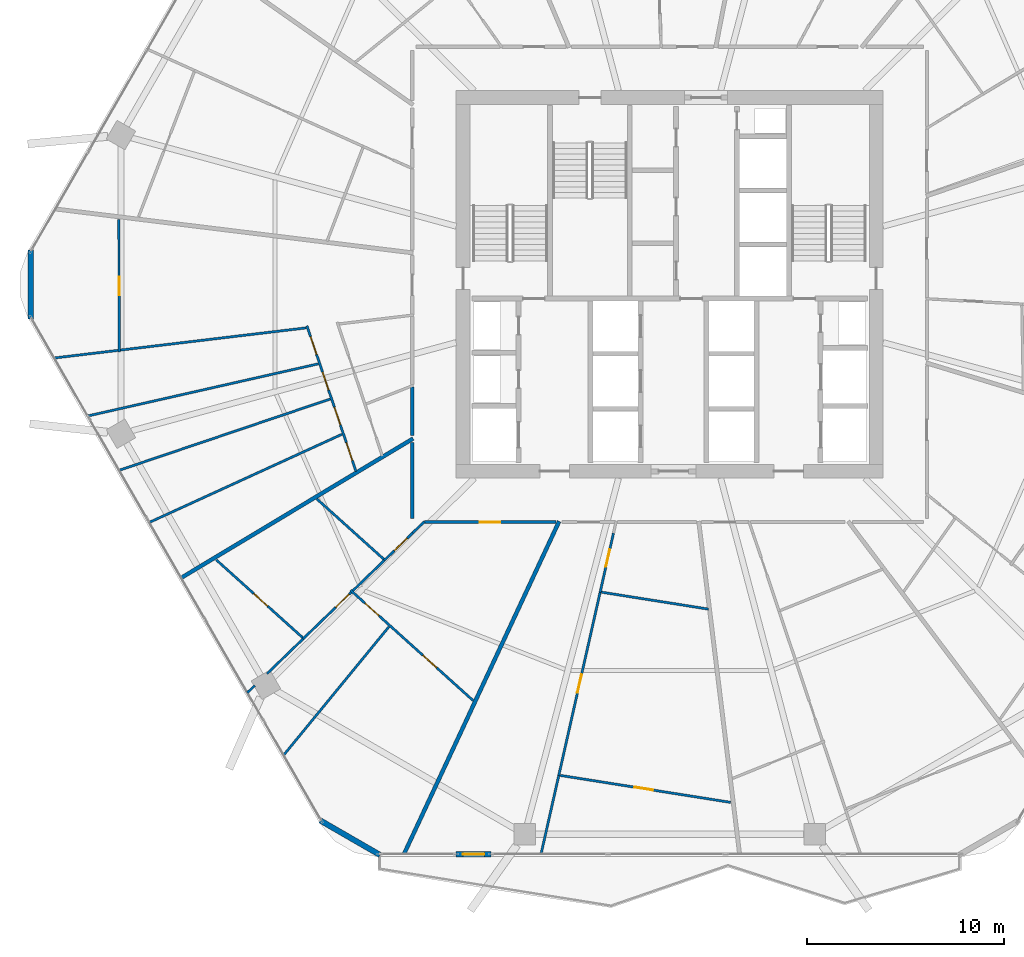
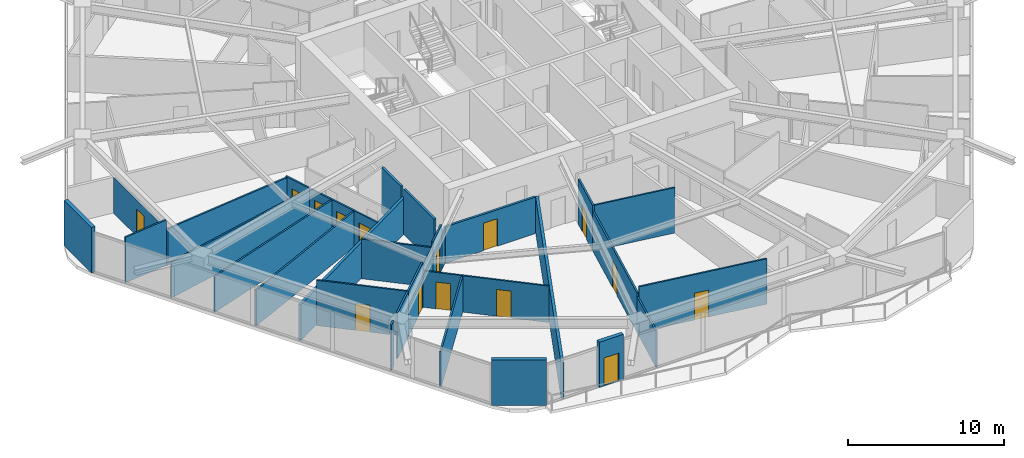
# One storey, part 24 of 33: 30 walls, 15 doors, 15 openings.
"""IFC4 building model written with IfcOpenShell, lengths in metres."""

from ifc_helpers import new_model, si_unit, direction, frame, frame_2d, origin, place, context, subcontext, project, spatial, rectangle, extrude, material, layer, layer_set, type_object, element, fill, save


model = new_model("IFC4")

# Units and contexts
model_context = context("Model", 3, precision=1e-05, world=origin(), true_north=direction((0.0, 1.0)))
body_context = subcontext(model_context, "Body", "Model", "MODEL_VIEW")
ifc_project = project(units=[si_unit("LENGTHUNIT", "METRE"), si_unit("AREAUNIT", "SQUARE_METRE"), si_unit("VOLUMEUNIT", "CUBIC_METRE"), si_unit("PLANEANGLEUNIT", "RADIAN"), si_unit("MASSUNIT", "GRAM", prefix="KILO")], contexts=[model_context])

# Site, building, storey
site_placement = place(None, origin())
site = spatial("IfcSite", under=ifc_project, at=site_placement, CompositionType="ELEMENT")
building_placement = place(site_placement, origin())
building = spatial("IfcBuilding", under=site, at=building_placement, Name="Zuhravey Tower", CompositionType="ELEMENT")
storey_placement = place(building_placement, frame((0.0, 0.0, 103.800048828125)))
storey = spatial("IfcBuildingStorey", under=building, at=storey_placement, Name="L25", CompositionType="ELEMENT", Elevation=103.800048828125)

# Wall, opening, door
ifc_material_1 = material(Name="Gypsum fire-rated stud partition")
ifc_layer_1 = layer(ifc_material_1, 0.159912109375)
ifc_layer_set_1 = layer_set([ifc_layer_1], Name="Gypsum fire-rated stud partition")
wall_type_1 = type_object("IfcWallType", Name="Corridor Fire Partition 160", PredefinedType="PARTITIONING", material=ifc_layer_set_1)
wall_1_placement = place(storey_placement, frame((23.537109375, 19.919921875, 0.0), z_axis=(0.0, 0.0, 1.0), x_axis=(1.0, 0.0, 0.0)))
wall_1 = element("IfcWall", 1, at=wall_1_placement, inside=storey, type_object=wall_type_1, Name="L25 IW16 Partition 052", PredefinedType="PARTITIONING", context=body_context, shape_type="SweptSolid", body=[
    extrude(rectangle(XDim=6.678955078125, YDim=0.159912109375, at=frame_2d((3.33935546875, 0.0))), origin(), (0.0, 0.0, 1.0), 2.849853515625),
])
opening_1_placement = place(wall_1_placement, frame((2.814453125, 0.0, 0.0)))
opening_1 = element("IfcOpeningElement", 2, at=opening_1_placement, cuts=wall_1, Name="Opening APD1", PredefinedType="OPENING", context=body_context, shape_type="SweptSolid", body=[
    extrude(rectangle(XDim=1.050048828125, YDim=2.14990234375, at=frame_2d((0.52490234375, 1.074951171875))), frame((0.0, 0.092041015625, 0.0), z_axis=(0.0, -1.0, 0.0), x_axis=(1.0, 0.0, 0.0)), (0.0, 0.0, 1.0), 0.183837890625),
])
ifc_material_2 = material(Name="Solid-core oak fire-rated leaf")
door_type_1 = type_object("IfcDoorType", Name="Apartment Entrance Fire Door 1050x2150", OperationType="NOTDEFINED", PredefinedType="DOOR", material=ifc_material_2)
door_1_placement = place(opening_1_placement, frame((1.050048828125, 0.0, 0.0), z_axis=(0.0, 0.0, 1.0), x_axis=(-1.0, 0.0, 0.0)))
door_1 = element("IfcDoor", 3, at=door_1_placement, inside=storey, type_object=door_type_1, Name="L25 Door 052.1", OperationType="SINGLE_SWING_RIGHT", OverallHeight=2.14990234375, OverallWidth=1.050048828125, PredefinedType="DOOR", context=body_context, shape_type="SweptSolid", body=[
    extrude(rectangle(XDim=1.050048828125, YDim=2.14990234375, at=frame_2d((0.52490234375, 1.074951171875))), frame((0.0, 0.02490234375, 0.0), z_axis=(0.0, -1.0, 0.0), x_axis=(1.0, 0.0, 0.0)), (0.0, 0.0, 1.0), 0.050048828125),
])
fill(opening_1, door_1)

# Walls
wall_2_placement = place(storey_placement, frame((22.919921875, 26.774169921875, 0.0), z_axis=(0.0, 0.0, 1.0), x_axis=(0.0, -1.0, 0.0)))
element("IfcWall", 4, at=wall_2_placement, inside=storey, type_object=wall_type_1, Name="L25 IW16 Partition 145", PredefinedType="PARTITIONING", context=body_context, shape_type="SweptSolid", body=[
    extrude(rectangle(XDim=2.45556640625, YDim=0.159912109375, at=frame_2d((1.227783203125, 0.0))), origin(), (0.0, 0.0, 1.0), 3.550048828125),
])
wall_3_placement = place(storey_placement, frame((22.919921875, 23.961181640625, 0.0), z_axis=(0.0, 0.0, 1.0), x_axis=(0.0, -1.0, 0.0)))
element("IfcWall", 5, at=wall_3_placement, inside=storey, type_object=wall_type_1, Name="L25 IW16 Partition 146", PredefinedType="PARTITIONING", context=body_context, shape_type="SweptSolid", body=[
    extrude(rectangle(XDim=3.861083984375, YDim=0.159912109375, at=frame_2d((1.9306640625, 0.0))), origin(), (0.0, 0.0, 1.0), 3.550048828125),
])

# Wall, opening, door
ifc_material_3 = material(Name="Precast concrete C40/50", Category="concrete")
ifc_layer_2 = layer(ifc_material_3, 0.280029296875)
ifc_layer_set_2 = layer_set([ifc_layer_2], Name="Precast concrete C40/50")
wall_type_2 = type_object("IfcWallType", Name="Crown Architectural Wall 280", PredefinedType="SOLIDWALL", material=ifc_layer_set_2)
wall_4_placement = place(storey_placement, frame((26.929931640625, 3.04150390625, 0.0), z_axis=(0.0, 0.0, 1.0), x_axis=(-1.0, 0.0, 0.0)))
wall_4 = element("IfcWall", 6, at=wall_4_placement, inside=storey, type_object=wall_type_2, Name="L25 Face 5 Facade Pier EW28-1", PredefinedType="SOLIDWALL", context=body_context, shape_type="SweptSolid", body=[
    extrude(rectangle(XDim=1.7900390625, YDim=0.280029296875, at=frame_2d((0.89501953125, 0.0))), origin(), (0.0, 0.0, 1.0), 3.550048828125),
])
opening_2_placement = place(wall_4_placement, frame((0.344970703125, 0.0, 0.0)))
opening_2 = element("IfcOpeningElement", 7, at=opening_2_placement, cuts=wall_4, Name="Opening BLD1", PredefinedType="OPENING", context=body_context, shape_type="SweptSolid", body=[
    extrude(rectangle(XDim=1.10009765625, YDim=2.199951171875, at=frame_2d((0.550048828125, 1.10009765625))), frame((0.0, 0.152099609375, 0.0), z_axis=(0.0, -1.0, 0.0), x_axis=(1.0, 0.0, 0.0)), (0.0, 0.0, 1.0), 0.303955078125),
])
ifc_material_4 = material(Name="Thermally broken aluminium and low-E glass", Category="aluminium")
door_type_2 = type_object("IfcDoorType", Name="Balcony & Sky-Tray Glazed Door 1100x2200", OperationType="NOTDEFINED", PredefinedType="DOOR", material=ifc_material_4)
door_2_placement = place(opening_2_placement, frame((1.10009765625, 0.0, 0.0), z_axis=(0.0, 0.0, 1.0), x_axis=(-1.0, 0.0, 0.0)))
door_2 = element("IfcDoor", 8, at=door_2_placement, inside=storey, type_object=door_type_2, Name="L25 Face 5 Wave Balcony Door", OperationType="SINGLE_SWING_LEFT", OverallHeight=2.199951171875, OverallWidth=1.10009765625, PredefinedType="DOOR", context=body_context, shape_type="SweptSolid", body=[
    extrude(rectangle(XDim=1.10009765625, YDim=2.199951171875, at=frame_2d((0.550048828125, 1.10009765625))), frame((0.0, 0.02490234375, 0.0), z_axis=(0.0, -1.0, 0.0), x_axis=(1.0, 0.0, 0.0)), (0.0, 0.0, 1.0), 0.050048828125),
])
fill(opening_2, door_2)

# Walls
wall_5_placement = place(storey_placement, frame((21.28271484375, 2.993896484375, 0.0), z_axis=(0.0, 0.0, 1.0), x_axis=(-0.866007452331, 0.500031091541, 0.0)))
element("IfcWall", 9, at=wall_5_placement, inside=storey, type_object=wall_type_2, Name="L25 Rounded Corner Closure Wall EW28-04", PredefinedType="SOLIDWALL", context=body_context, shape_type="SweptSolid", body=[
    extrude(rectangle(XDim=3.514892578125, YDim=0.280029296875, at=frame_2d((1.75732421875, 0.0))), origin(), (0.0, 0.0, 1.0), 3.550048828125),
])
wall_6_placement = place(storey_placement, frame((3.521484375, 30.242431640625, 0.0), z_axis=(0.0, 0.0, 1.0), x_axis=(0.0, 1.0, 0.0)))
element("IfcWall", 10, at=wall_6_placement, inside=storey, type_object=wall_type_2, Name="L25 Rounded Corner Closure Wall EW28-06", PredefinedType="SOLIDWALL", context=body_context, shape_type="SweptSolid", body=[
    extrude(rectangle(XDim=3.51513671875, YDim=0.280029296875, at=frame_2d((1.757568359375, 0.0))), origin(), (0.0, 0.0, 1.0), 3.550048828125),
])
ifc_material_5 = material(Name="Gypsum double-stud party assembly")
ifc_layer_3 = layer(ifc_material_5, 0.199951171875)
ifc_layer_set_3 = layer_set([ifc_layer_3], Name="Gypsum double-stud party assembly")
wall_type_3 = type_object("IfcWallType", Name="Inter-Tenancy Party Wall 200", PredefinedType="PARTITIONING", material=ifc_layer_set_3)
wall_7_placement = place(storey_placement, frame((22.9599609375, 24.164794921875, 0.0), z_axis=(0.0, 0.0, 1.0), x_axis=(-0.857163744899, -0.515043992714, 0.0)))
element("IfcWall", 11, at=wall_7_placement, inside=storey, type_object=wall_type_3, Name="L25 IW20 Partition 113", PredefinedType="PARTITIONING", context=body_context, shape_type="SweptSolid", body=[
    extrude(rectangle(XDim=13.749755859375, YDim=0.199951171875, at=frame_2d((6.875, 0.0))), origin(), (0.0, 0.0, 1.0), 2.800048828125),
])
wall_8_placement = place(storey_placement, frame((30.3857421875, 19.9599609375, 0.0), z_axis=(0.0, 0.0, 1.0), x_axis=(-0.422626983595, -0.906303719918, 0.0)))
element("IfcWall", 12, at=wall_8_placement, inside=storey, type_object=wall_type_3, Name="L25 IW20 Partition 119", PredefinedType="PARTITIONING", context=body_context, shape_type="SweptSolid", body=[
    extrude(rectangle(XDim=18.66748046875, YDim=0.199951171875, at=frame_2d((9.333740234375, 0.0))), origin(), (0.0, 0.0, 1.0), 2.800048828125),
])

# Wall, opening, door
ifc_material_6 = material(Name="Gypsum metal-stud partition")
ifc_layer_4 = layer(ifc_material_6, 0.1201171875)
ifc_layer_set_4 = layer_set([ifc_layer_4], Name="Gypsum metal-stud partition")
wall_type_4 = type_object("IfcWallType", Name="Unit Internal Partition 120", PredefinedType="PARTITIONING", material=ifc_layer_set_4)
wall_9_placement = place(storey_placement, frame((8.003662109375, 35.290283203125, 0.0), z_axis=(0.0, 0.0, 1.0), x_axis=(0.00282658773, -0.999996005193, 0.0)))
wall_9 = element("IfcWall", 13, at=wall_9_placement, inside=storey, type_object=wall_type_4, Name="L25 IW12 Partition 043", PredefinedType="PARTITIONING", context=body_context, shape_type="SweptSolid", body=[
    extrude(rectangle(XDim=6.737060546875, YDim=0.1201171875, at=frame_2d((3.36865234375, 0.0))), origin(), (0.0, 0.0, 1.0), 2.800048828125),
])
opening_3_placement = place(wall_9_placement, frame((2.8935546875, 0.0, 0.0)))
opening_3 = element("IfcOpeningElement", 14, at=opening_3_placement, cuts=wall_9, Name="Opening IND1", PredefinedType="OPENING", context=body_context, shape_type="SweptSolid", body=[
    extrude(rectangle(XDim=0.949951171875, YDim=2.10009765625, at=frame_2d((0.47509765625, 1.050048828125))), frame((0.0, 0.072021484375, 0.0), z_axis=(0.0, -1.0, 0.0), x_axis=(1.0, 0.0, 0.0)), (0.0, 0.0, 1.0), 0.14404296875),
])
ifc_material_7 = material(Name="Painted engineered timber leaf", Category="wood")
door_type_3 = type_object("IfcDoorType", Name="Internal Room & Bedroom Door 950x2100", OperationType="NOTDEFINED", PredefinedType="DOOR", material=ifc_material_7)
door_3_placement = place(opening_3_placement, frame((0.949951171875, 0.0, 0.0), z_axis=(0.0, 0.0, 1.0), x_axis=(-1.0, 0.0, 0.0)))
door_3 = element("IfcDoor", 15, at=door_3_placement, inside=storey, type_object=door_type_3, Name="Apartment L25-06 Family Study Door", OperationType="SINGLE_SWING_LEFT", OverallHeight=2.10009765625, OverallWidth=0.949951171875, PredefinedType="DOOR", context=body_context, shape_type="SweptSolid", body=[
    extrude(rectangle(XDim=0.949951171875, YDim=2.10009765625, at=frame_2d((0.47509765625, 1.050048828125))), frame((0.0, 0.02490234375, 0.0), z_axis=(0.0, -1.0, 0.0), x_axis=(1.0, 0.0, 0.0)), (0.0, 0.0, 1.0), 0.050048828125),
])
fill(opening_3, door_3)

# Wall, openings, doors
wall_10_placement = place(storey_placement, frame((17.560791015625, 29.8955078125, 0.0), z_axis=(0.0, 0.0, 1.0), x_axis=(0.319947688878, -0.947435209596, 0.0)))
wall_10 = element("IfcWall", 16, at=wall_10_placement, inside=storey, type_object=wall_type_4, Name="L25 IW12 Partition 045", PredefinedType="PARTITIONING", context=body_context, shape_type="SweptSolid", body=[
    extrude(rectangle(XDim=7.8115234375, YDim=0.1201171875, at=frame_2d((3.90576171875, 0.0))), origin(), (0.0, 0.0, 1.0), 2.849853515625),
])
opening_4_placement = place(wall_10_placement, frame((0.587158203125, 0.0, 0.0)))
opening_4 = element("IfcOpeningElement", 17, at=opening_4_placement, cuts=wall_10, Name="Opening IND1", PredefinedType="OPENING", context=body_context, shape_type="SweptSolid", body=[
    extrude(rectangle(XDim=0.949951171875, YDim=2.10009765625, at=frame_2d((0.47509765625, 1.050048828125))), frame((0.0, 0.072021484375, 0.0), z_axis=(0.0, -1.0, 0.0), x_axis=(1.0, 0.0, 0.0)), (0.0, 0.0, 1.0), 0.14404296875),
])
opening_5_placement = place(wall_10_placement, frame((2.48974609375, 0.0, 0.0)))
opening_5 = element("IfcOpeningElement", 18, at=opening_5_placement, cuts=wall_10, Name="Opening IND1", PredefinedType="OPENING", context=body_context, shape_type="SweptSolid", body=[
    extrude(rectangle(XDim=0.949951171875, YDim=2.10009765625, at=frame_2d((0.47509765625, 1.050048828125))), frame((0.0, 0.072021484375, 0.0), z_axis=(0.0, -1.0, 0.0), x_axis=(1.0, 0.0, 0.0)), (0.0, 0.0, 1.0), 0.14404296875),
])
opening_6_placement = place(wall_10_placement, frame((4.37158203125, 0.0, 0.0)))
opening_6 = element("IfcOpeningElement", 19, at=opening_6_placement, cuts=wall_10, Name="Opening IND1", PredefinedType="OPENING", context=body_context, shape_type="SweptSolid", body=[
    extrude(rectangle(XDim=0.949951171875, YDim=2.10009765625, at=frame_2d((0.47509765625, 1.050048828125))), frame((0.0, 0.072021484375, 0.0), z_axis=(0.0, -1.0, 0.0), x_axis=(1.0, 0.0, 0.0)), (0.0, 0.0, 1.0), 0.14404296875),
])
opening_7_placement = place(wall_10_placement, frame((6.274169921875, 0.0, 0.0)))
opening_7 = element("IfcOpeningElement", 20, at=opening_7_placement, cuts=wall_10, Name="Opening IND1", PredefinedType="OPENING", context=body_context, shape_type="SweptSolid", body=[
    extrude(rectangle(XDim=0.949951171875, YDim=2.10009765625, at=frame_2d((0.47509765625, 1.050048828125))), frame((0.0, 0.072021484375, 0.0), z_axis=(0.0, -1.0, 0.0), x_axis=(1.0, 0.0, 0.0)), (0.0, 0.0, 1.0), 0.14404296875),
])
door_4_placement = place(opening_4_placement, frame((0.949951171875, 0.0, 0.0), z_axis=(0.0, 0.0, 1.0), x_axis=(-1.0, 0.0, 0.0)))
door_4 = element("IfcDoor", 21, at=door_4_placement, inside=storey, type_object=door_type_3, Name="Apartment L25-06 Bedroom 1 Door", OperationType="SINGLE_SWING_RIGHT", OverallHeight=2.10009765625, OverallWidth=0.949951171875, PredefinedType="DOOR", context=body_context, shape_type="SweptSolid", body=[
    extrude(rectangle(XDim=0.949951171875, YDim=2.10009765625, at=frame_2d((0.47509765625, 1.050048828125))), frame((0.0, 0.02490234375, 0.0), z_axis=(0.0, -1.0, 0.0), x_axis=(1.0, 0.0, 0.0)), (0.0, 0.0, 1.0), 0.050048828125),
])
fill(opening_4, door_4)
door_5_placement = place(opening_5_placement, frame((0.949951171875, 0.0, 0.0), z_axis=(0.0, 0.0, 1.0), x_axis=(-1.0, 0.0, 0.0)))
door_5 = element("IfcDoor", 22, at=door_5_placement, inside=storey, type_object=door_type_3, Name="Apartment L25-06 Bedroom 2 Door", OperationType="SINGLE_SWING_LEFT", OverallHeight=2.10009765625, OverallWidth=0.949951171875, PredefinedType="DOOR", context=body_context, shape_type="SweptSolid", body=[
    extrude(rectangle(XDim=0.949951171875, YDim=2.10009765625, at=frame_2d((0.47509765625, 1.050048828125))), frame((0.0, 0.02490234375, 0.0), z_axis=(0.0, -1.0, 0.0), x_axis=(1.0, 0.0, 0.0)), (0.0, 0.0, 1.0), 0.050048828125),
])
fill(opening_5, door_5)
door_6_placement = place(opening_6_placement, frame((0.949951171875, 0.0, 0.0), z_axis=(0.0, 0.0, 1.0), x_axis=(-1.0, 0.0, 0.0)))
door_6 = element("IfcDoor", 23, at=door_6_placement, inside=storey, type_object=door_type_3, Name="Apartment L25-06 Bedroom 3 Door", OperationType="SINGLE_SWING_RIGHT", OverallHeight=2.10009765625, OverallWidth=0.949951171875, PredefinedType="DOOR", context=body_context, shape_type="SweptSolid", body=[
    extrude(rectangle(XDim=0.949951171875, YDim=2.10009765625, at=frame_2d((0.47509765625, 1.050048828125))), frame((0.0, 0.02490234375, 0.0), z_axis=(0.0, -1.0, 0.0), x_axis=(1.0, 0.0, 0.0)), (0.0, 0.0, 1.0), 0.050048828125),
])
fill(opening_6, door_6)
door_7_placement = place(opening_7_placement, frame((0.949951171875, 0.0, 0.0), z_axis=(0.0, 0.0, 1.0), x_axis=(-1.0, 0.0, 0.0)))
door_7 = element("IfcDoor", 24, at=door_7_placement, inside=storey, type_object=door_type_3, Name="Apartment L25-06 Bedroom 4 Door", OperationType="SINGLE_SWING_LEFT", OverallHeight=2.10009765625, OverallWidth=0.949951171875, PredefinedType="DOOR", context=body_context, shape_type="SweptSolid", body=[
    extrude(rectangle(XDim=0.949951171875, YDim=2.10009765625, at=frame_2d((0.47509765625, 1.050048828125))), frame((0.0, 0.02490234375, 0.0), z_axis=(0.0, -1.0, 0.0), x_axis=(1.0, 0.0, 0.0)), (0.0, 0.0, 1.0), 0.050048828125),
])
fill(opening_7, door_7)

wall_11_placement = place(storey_placement, frame((19.781494140625, 16.455078125, 0.0), z_axis=(0.0, 0.0, 1.0), x_axis=(0.743143681273, -0.669131877125, 0.0)))
wall_11 = element("IfcWall", 25, at=wall_11_placement, inside=storey, type_object=wall_type_4, Name="L25 IW12 Partition 047", PredefinedType="PARTITIONING", context=body_context, shape_type="SweptSolid", body=[
    extrude(rectangle(XDim=8.391845703125, YDim=0.1201171875, at=frame_2d((4.19580078125, 0.0))), origin(), (0.0, 0.0, 1.0), 2.849853515625),
])
opening_8_placement = place(wall_11_placement, frame((0.9892578125, 0.0, 0.0)))
opening_8 = element("IfcOpeningElement", 26, at=opening_8_placement, cuts=wall_11, Name="Opening IND1", PredefinedType="OPENING", context=body_context, shape_type="SweptSolid", body=[
    extrude(rectangle(XDim=0.949951171875, YDim=2.10009765625, at=frame_2d((0.47509765625, 1.050048828125))), frame((0.0, 0.072021484375, 0.0), z_axis=(0.0, -1.0, 0.0), x_axis=(1.0, 0.0, 0.0)), (0.0, 0.0, 1.0), 0.14404296875),
])
opening_9_placement = place(wall_11_placement, frame((4.9453125, 0.0, 0.0)))
opening_9 = element("IfcOpeningElement", 27, at=opening_9_placement, cuts=wall_11, Name="Opening IND1", PredefinedType="OPENING", context=body_context, shape_type="SweptSolid", body=[
    extrude(rectangle(XDim=0.949951171875, YDim=2.10009765625, at=frame_2d((0.47509765625, 1.050048828125))), frame((0.0, 0.072021484375, 0.0), z_axis=(0.0, -1.0, 0.0), x_axis=(1.0, 0.0, 0.0)), (0.0, 0.0, 1.0), 0.14404296875),
])
door_8_placement = place(opening_8_placement, frame((0.949951171875, 0.0, 0.0), z_axis=(0.0, 0.0, 1.0), x_axis=(-1.0, 0.0, 0.0)))
door_8 = element("IfcDoor", 28, at=door_8_placement, inside=storey, type_object=door_type_3, Name="Apartment L25-07 Family Study Door", OperationType="SINGLE_SWING_LEFT", OverallHeight=2.10009765625, OverallWidth=0.949951171875, PredefinedType="DOOR", context=body_context, shape_type="SweptSolid", body=[
    extrude(rectangle(XDim=0.949951171875, YDim=2.10009765625, at=frame_2d((0.47509765625, 1.050048828125))), frame((0.0, 0.02490234375, 0.0), z_axis=(0.0, -1.0, 0.0), x_axis=(1.0, 0.0, 0.0)), (0.0, 0.0, 1.0), 0.050048828125),
])
fill(opening_8, door_8)
door_9_placement = place(opening_9_placement, frame((0.949951171875, 0.0, 0.0), z_axis=(0.0, 0.0, 1.0), x_axis=(-1.0, 0.0, 0.0)))
door_9 = element("IfcDoor", 29, at=door_9_placement, inside=storey, type_object=door_type_3, Name="Apartment L25-07 Dining Room Door", OperationType="SINGLE_SWING_RIGHT", OverallHeight=2.10009765625, OverallWidth=0.949951171875, PredefinedType="DOOR", context=body_context, shape_type="SweptSolid", body=[
    extrude(rectangle(XDim=0.949951171875, YDim=2.10009765625, at=frame_2d((0.47509765625, 1.050048828125))), frame((0.0, 0.02490234375, 0.0), z_axis=(0.0, -1.0, 0.0), x_axis=(1.0, 0.0, 0.0)), (0.0, 0.0, 1.0), 0.050048828125),
])
fill(opening_9, door_9)

# Wall, opening, door
wall_12_placement = place(storey_placement, frame((22.937744140625, 19.368408203125, 0.0), z_axis=(0.0, 0.0, 1.0), x_axis=(-0.718812006411, -0.695204501884, 0.0)))
wall_12 = element("IfcWall", 30, at=wall_12_placement, inside=storey, type_object=wall_type_4, Name="L25 IW12 Partition 048", PredefinedType="PARTITIONING", context=body_context, shape_type="SweptSolid", body=[
    extrude(rectangle(XDim=2.00634765625, YDim=0.1201171875, at=frame_2d((1.003173828125, 0.0))), origin(), (0.0, 0.0, 1.0), 3.550048828125),
])
opening_10_placement = place(wall_12_placement, frame((0.392578125, 0.0, 0.0)))
opening_10 = element("IfcOpeningElement", 31, at=opening_10_placement, cuts=wall_12, Name="Opening WCD1", PredefinedType="OPENING", context=body_context, shape_type="SweptSolid", body=[
    extrude(rectangle(XDim=0.89990234375, YDim=2.10009765625, at=frame_2d((0.449951171875, 1.050048828125))), frame((0.0, 0.072021484375, 0.0), z_axis=(0.0, -1.0, 0.0), x_axis=(1.0, 0.0, 0.0)), (0.0, 0.0, 1.0), 0.14404296875),
])
ifc_material_8 = material(Name="Moisture-resistant timber leaf", Category="wood")
door_type_4 = type_object("IfcDoorType", Name="Bathroom & WC Internal Door 900x2100", OperationType="NOTDEFINED", PredefinedType="DOOR", material=ifc_material_8)
door_10_placement = place(opening_10_placement, frame((0.89990234375, 0.0, 0.0), z_axis=(0.0, 0.0, 1.0), x_axis=(-1.0, 0.0, 0.0)))
door_10 = element("IfcDoor", 32, at=door_10_placement, inside=storey, type_object=door_type_4, Name="Apartment L25-07 Bathroom Door", OperationType="SINGLE_SWING_LEFT", OverallHeight=2.10009765625, OverallWidth=0.89990234375, PredefinedType="DOOR", context=body_context, shape_type="SweptSolid", body=[
    extrude(rectangle(XDim=0.89990234375, YDim=2.10009765625, at=frame_2d((0.449951171875, 1.050048828125))), frame((0.0, 0.02490234375, 0.0), z_axis=(0.0, -1.0, 0.0), x_axis=(1.0, 0.0, 0.0)), (0.0, 0.0, 1.0), 0.050048828125),
])
fill(opening_10, door_10)

# Wall
wall_13_placement = place(storey_placement, frame((21.49560546875, 17.9736328125, 0.0), z_axis=(0.0, 0.0, 1.0), x_axis=(-0.718868898455, -0.695145673103, 0.0)))
element("IfcWall", 33, at=wall_13_placement, inside=storey, type_object=wall_type_4, Name="L25 IW12 Partition 049", PredefinedType="PARTITIONING", context=body_context, shape_type="SweptSolid", body=[
    extrude(rectangle(XDim=2.212646484375, YDim=0.1201171875, at=frame_2d((1.1064453125, 0.0))), origin(), (0.0, 0.0, 1.0), 3.099853515625),
])

# Wall, opening, door
wall_14_placement = place(storey_placement, frame((19.806884765625, 16.3408203125, 0.0), z_axis=(0.0, 0.0, 1.0), x_axis=(-0.718831046799, -0.69518481439, 0.0)))
wall_14 = element("IfcWall", 34, at=wall_14_placement, inside=storey, type_object=wall_type_4, Name="L25 IW12 Partition 050", PredefinedType="PARTITIONING", context=body_context, shape_type="SweptSolid", body=[
    extrude(rectangle(XDim=3.386474609375, YDim=0.1201171875, at=frame_2d((1.693359375, 0.0))), origin(), (0.0, 0.0, 1.0), 3.550048828125),
])
opening_11_placement = place(wall_14_placement, frame((0.139892578125, 0.0, 0.0)))
opening_11 = element("IfcOpeningElement", 35, at=opening_11_placement, cuts=wall_14, Name="Opening IND1", PredefinedType="OPENING", context=body_context, shape_type="SweptSolid", body=[
    extrude(rectangle(XDim=0.949951171875, YDim=2.10009765625, at=frame_2d((0.47509765625, 1.050048828125))), frame((0.0, 0.072021484375, 0.0), z_axis=(0.0, -1.0, 0.0), x_axis=(1.0, 0.0, 0.0)), (0.0, 0.0, 1.0), 0.14404296875),
])
door_11_placement = place(opening_11_placement, frame((0.949951171875, 0.0, 0.0), z_axis=(0.0, 0.0, 1.0), x_axis=(-1.0, 0.0, 0.0)))
door_11 = element("IfcDoor", 36, at=door_11_placement, inside=storey, type_object=door_type_3, Name="Apartment L25-07 Home Office Door", OperationType="SINGLE_SWING_RIGHT", OverallHeight=2.10009765625, OverallWidth=0.949951171875, PredefinedType="DOOR", context=body_context, shape_type="SweptSolid", body=[
    extrude(rectangle(XDim=0.949951171875, YDim=2.10009765625, at=frame_2d((0.47509765625, 1.050048828125))), frame((0.0, 0.02490234375, 0.0), z_axis=(0.0, -1.0, 0.0), x_axis=(1.0, 0.0, 0.0)), (0.0, 0.0, 1.0), 0.050048828125),
])
fill(opening_11, door_11)

wall_15_placement = place(storey_placement, frame((12.95654296875, 17.99609375, 0.0), z_axis=(0.0, 0.0, 1.0), x_axis=(0.743162407379, -0.669111079163, 0.0)))
wall_15 = element("IfcWall", 37, at=wall_15_placement, inside=storey, type_object=wall_type_4, Name="L25 IW12 Partition 051", PredefinedType="PARTITIONING", context=body_context, shape_type="SweptSolid", body=[
    extrude(rectangle(XDim=5.898193359375, YDim=0.1201171875, at=frame_2d((2.94921875, 0.0))), origin(), (0.0, 0.0, 1.0), 3.550048828125),
])
opening_12_placement = place(wall_15_placement, frame((2.558349609375, 0.0, 0.0)))
opening_12 = element("IfcOpeningElement", 38, at=opening_12_placement, cuts=wall_15, Name="Opening IND1", PredefinedType="OPENING", context=body_context, shape_type="SweptSolid", body=[
    extrude(rectangle(XDim=0.949951171875, YDim=2.10009765625, at=frame_2d((0.47509765625, 1.050048828125))), frame((0.0, 0.072021484375, 0.0), z_axis=(0.0, -1.0, 0.0), x_axis=(1.0, 0.0, 0.0)), (0.0, 0.0, 1.0), 0.14404296875),
])
door_12_placement = place(opening_12_placement, frame((0.949951171875, 0.0, 0.0), z_axis=(0.0, 0.0, 1.0), x_axis=(-1.0, 0.0, 0.0)))
door_12 = element("IfcDoor", 39, at=door_12_placement, inside=storey, type_object=door_type_3, Name="Apartment L25-07 Bedroom 1 Door", OperationType="SINGLE_SWING_LEFT", OverallHeight=2.10009765625, OverallWidth=0.949951171875, PredefinedType="DOOR", context=body_context, shape_type="SweptSolid", body=[
    extrude(rectangle(XDim=0.949951171875, YDim=2.10009765625, at=frame_2d((0.47509765625, 1.050048828125))), frame((0.0, 0.02490234375, 0.0), z_axis=(0.0, -1.0, 0.0), x_axis=(1.0, 0.0, 0.0)), (0.0, 0.0, 1.0), 0.050048828125),
])
fill(opening_12, door_12)

wall_16_placement = place(storey_placement, frame((33.14453125, 19.35009765625, 0.0), z_axis=(0.0, 0.0, 1.0), x_axis=(-0.220163710026, -0.975462936655, 0.0)))
wall_16 = element("IfcWall", 40, at=wall_16_placement, inside=storey, type_object=wall_type_4, Name="L25 IW12 Partition 053", PredefinedType="PARTITIONING", context=body_context, shape_type="SweptSolid", body=[
    extrude(rectangle(XDim=3.0849609375, YDim=0.1201171875, at=frame_2d((1.54248046875, 0.0))), origin(), (0.0, 0.0, 1.0), 3.550048828125),
])
opening_13_placement = place(wall_16_placement, frame((0.845703125, 0.0, 0.0)))
opening_13 = element("IfcOpeningElement", 41, at=opening_13_placement, cuts=wall_16, Name="Opening WCD1", PredefinedType="OPENING", context=body_context, shape_type="SweptSolid", body=[
    extrude(rectangle(XDim=0.89990234375, YDim=2.10009765625, at=frame_2d((0.449951171875, 1.050048828125))), frame((0.0, 0.072021484375, 0.0), z_axis=(0.0, -1.0, 0.0), x_axis=(1.0, 0.0, 0.0)), (0.0, 0.0, 1.0), 0.14404296875),
])
door_13_placement = place(opening_13_placement, origin())
door_13 = element("IfcDoor", 42, at=door_13_placement, inside=storey, type_object=door_type_4, Name="Apartment L25-08 Bathroom Door", OperationType="SINGLE_SWING_LEFT", OverallHeight=2.10009765625, OverallWidth=0.89990234375, PredefinedType="DOOR", context=body_context, shape_type="SweptSolid", body=[
    extrude(rectangle(XDim=0.89990234375, YDim=2.10009765625, at=frame_2d((0.449951171875, 1.050048828125))), frame((0.0, 0.02490234375, 0.0), z_axis=(0.0, -1.0, 0.0), x_axis=(1.0, 0.0, 0.0)), (0.0, 0.0, 1.0), 0.050048828125),
])
fill(opening_13, door_13)

wall_17_placement = place(storey_placement, frame((32.46533203125, 16.3408203125, 0.0), z_axis=(0.0, 0.0, 1.0), x_axis=(-0.220183949045, -0.975458368452, 0.0)))
wall_17 = element("IfcWall", 43, at=wall_17_placement, inside=storey, type_object=wall_type_4, Name="L25 IW12 Partition 054", PredefinedType="PARTITIONING", context=body_context, shape_type="SweptSolid", body=[
    extrude(rectangle(XDim=9.546875, YDim=0.1201171875, at=frame_2d((4.7734375, 0.0))), origin(), (0.0, 0.0, 1.0), 3.099853515625),
])
opening_14_placement = place(wall_17_placement, frame((4.2734375, 0.0, 0.0)))
opening_14 = element("IfcOpeningElement", 44, at=opening_14_placement, cuts=wall_17, Name="Opening IND1", PredefinedType="OPENING", context=body_context, shape_type="SweptSolid", body=[
    extrude(rectangle(XDim=0.949951171875, YDim=2.10009765625, at=frame_2d((0.47509765625, 1.050048828125))), frame((0.0, 0.072021484375, 0.0), z_axis=(0.0, -1.0, 0.0), x_axis=(1.0, 0.0, 0.0)), (0.0, 0.0, 1.0), 0.14404296875),
])
door_14_placement = place(opening_14_placement, origin())
door_14 = element("IfcDoor", 45, at=door_14_placement, inside=storey, type_object=door_type_3, Name="Apartment L25-08 Home Office Door", OperationType="SINGLE_SWING_RIGHT", OverallHeight=2.10009765625, OverallWidth=0.949951171875, PredefinedType="DOOR", context=body_context, shape_type="SweptSolid", body=[
    extrude(rectangle(XDim=0.949951171875, YDim=2.10009765625, at=frame_2d((0.47509765625, 1.050048828125))), frame((0.0, 0.02490234375, 0.0), z_axis=(0.0, -1.0, 0.0), x_axis=(1.0, 0.0, 0.0)), (0.0, 0.0, 1.0), 0.050048828125),
])
fill(opening_14, door_14)

wall_18_placement = place(storey_placement, frame((30.43603515625, 7.0419921875, 0.0), z_axis=(0.0, 0.0, 1.0), x_axis=(0.987688614877, -0.156432733283, 0.0)))
wall_18 = element("IfcWall", 46, at=wall_18_placement, inside=storey, type_object=wall_type_4, Name="L25 IW12 Partition 055", PredefinedType="PARTITIONING", context=body_context, shape_type="SweptSolid", body=[
    extrude(rectangle(XDim=8.7724609375, YDim=0.1201171875, at=frame_2d((4.38623046875, 0.0))), origin(), (0.0, 0.0, 1.0), 3.550048828125),
])
opening_15_placement = place(wall_18_placement, frame((3.8271484375, 0.0, 0.0)))
opening_15 = element("IfcOpeningElement", 47, at=opening_15_placement, cuts=wall_18, Name="Opening IND1", PredefinedType="OPENING", context=body_context, shape_type="SweptSolid", body=[
    extrude(rectangle(XDim=0.949951171875, YDim=2.10009765625, at=frame_2d((0.47509765625, 1.050048828125))), frame((0.0, 0.072021484375, 0.0), z_axis=(0.0, -1.0, 0.0), x_axis=(1.0, 0.0, 0.0)), (0.0, 0.0, 1.0), 0.14404296875),
])
door_15_placement = place(opening_15_placement, frame((0.949951171875, 0.0, 0.0), z_axis=(0.0, 0.0, 1.0), x_axis=(-1.0, 0.0, 0.0)))
door_15 = element("IfcDoor", 48, at=door_15_placement, inside=storey, type_object=door_type_3, Name="Apartment L25-08 Bedroom 1 Door", OperationType="SINGLE_SWING_LEFT", OverallHeight=2.10009765625, OverallWidth=0.949951171875, PredefinedType="DOOR", context=body_context, shape_type="SweptSolid", body=[
    extrude(rectangle(XDim=0.949951171875, YDim=2.10009765625, at=frame_2d((0.47509765625, 1.050048828125))), frame((0.0, 0.02490234375, 0.0), z_axis=(0.0, -1.0, 0.0), x_axis=(1.0, 0.0, 0.0)), (0.0, 0.0, 1.0), 0.050048828125),
])
fill(opening_15, door_15)

# Walls
wall_19_placement = place(storey_placement, frame((18.141845703125, 27.96240234375, 0.0), z_axis=(0.0, 0.0, 1.0), x_axis=(-0.975378348773, -0.220538152583, 0.0)))
element("IfcWall", 49, at=wall_19_placement, inside=storey, type_object=wall_type_4, Name="L25 IW12 Partition 107", PredefinedType="PARTITIONING", context=body_context, shape_type="SweptSolid", body=[
    extrude(rectangle(XDim=12.025634765625, YDim=0.1201171875, at=frame_2d((6.0126953125, 0.0))), origin(), (0.0, 0.0, 1.0), 2.800048828125),
])
wall_20_placement = place(storey_placement, frame((18.74609375, 26.17333984375, 0.0), z_axis=(0.0, 0.0, 1.0), x_axis=(-0.947430912787, -0.319960412389, 0.0)))
element("IfcWall", 50, at=wall_20_placement, inside=storey, type_object=wall_type_4, Name="L25 IW12 Partition 108", PredefinedType="PARTITIONING", context=body_context, shape_type="SweptSolid", body=[
    extrude(rectangle(XDim=11.333984375, YDim=0.1201171875, at=frame_2d((5.6669921875, 0.0))), origin(), (0.0, 0.0, 1.0), 2.800048828125),
])
wall_21_placement = place(storey_placement, frame((19.35009765625, 24.38427734375, 0.0), z_axis=(0.0, 0.0, 1.0), x_axis=(-0.909372754927, -0.415982202259, 0.0)))
element("IfcWall", 51, at=wall_21_placement, inside=storey, type_object=wall_type_4, Name="L25 IW12 Partition 109", PredefinedType="PARTITIONING", context=body_context, shape_type="SweptSolid", body=[
    extrude(rectangle(XDim=10.78955078125, YDim=0.1201171875, at=frame_2d((5.394775390625, 0.0))), origin(), (0.0, 0.0, 1.0), 2.800048828125),
])
wall_22_placement = place(storey_placement, frame((17.524658203125, 29.790283203125, 0.0), z_axis=(0.0, 0.0, 1.0), x_axis=(-0.992925874221, -0.11873587622, 0.0)))
element("IfcWall", 52, at=wall_22_placement, inside=storey, type_object=wall_type_4, Name="L25 IW12 Partition 111", PredefinedType="PARTITIONING", context=body_context, shape_type="SweptSolid", body=[
    extrude(rectangle(XDim=9.50146484375, YDim=0.1201171875, at=frame_2d((4.750732421875, 0.0))), origin(), (0.0, 0.0, 1.0), 2.800048828125),
])
wall_23_placement = place(storey_placement, frame((7.954345703125, 28.645751953125, 0.0), z_axis=(0.0, 0.0, 1.0), x_axis=(-0.992930883054, -0.11869398248, 0.0)))
element("IfcWall", 53, at=wall_23_placement, inside=storey, type_object=wall_type_4, Name="L25 IW12 Partition 112", PredefinedType="PARTITIONING", context=body_context, shape_type="SweptSolid", body=[
    extrude(rectangle(XDim=3.264404296875, YDim=0.1201171875, at=frame_2d((1.63232421875, 0.0))), origin(), (0.0, 0.0, 1.0), 3.550048828125),
])
wall_24_placement = place(storey_placement, frame((21.736083984375, 14.603759765625, 0.0), z_axis=(0.0, 0.0, 1.0), x_axis=(-0.634046199825, -0.773295167765, 0.0)))
element("IfcWall", 54, at=wall_24_placement, inside=storey, type_object=wall_type_4, Name="L25 IW12 Partition 114", PredefinedType="PARTITIONING", context=body_context, shape_type="SweptSolid", body=[
    extrude(rectangle(XDim=8.482421875, YDim=0.1201171875, at=frame_2d((4.2412109375, 0.0))), origin(), (0.0, 0.0, 1.0), 2.800048828125),
])
wall_25_placement = place(storey_placement, frame((23.537109375, 19.94775390625, 0.0), z_axis=(0.0, 0.0, 1.0), x_axis=(-0.719012767995, -0.694996862914, 0.0)))
element("IfcWall", 55, at=wall_25_placement, inside=storey, type_object=wall_type_4, Name="L25 IW12 Partition 115", PredefinedType="PARTITIONING", context=body_context, shape_type="SweptSolid", body=[
    extrude(rectangle(XDim=0.83349609375, YDim=0.1201171875, at=frame_2d((0.416748046875, 0.0))), origin(), (0.0, 0.0, 1.0), 2.849853515625),
])
wall_26_placement = place(storey_placement, frame((17.37255859375, 13.986572265625, 0.0), z_axis=(0.0, 0.0, 1.0), x_axis=(-0.718827348766, -0.695188638189, 0.0)))
element("IfcWall", 56, at=wall_26_placement, inside=storey, type_object=wall_type_4, Name="L25 IW12 Partition 116", PredefinedType="PARTITIONING", context=body_context, shape_type="SweptSolid", body=[
    extrude(rectangle(XDim=2.551025390625, YDim=0.1201171875, at=frame_2d((1.275390625, 0.0))), origin(), (0.0, 0.0, 1.0), 3.550048828125),
])
wall_27_placement = place(storey_placement, frame((14.910888671875, 11.606201171875, 0.0), z_axis=(0.0, 0.0, 1.0), x_axis=(-0.718799796591, -0.695217126099, 0.0)))
element("IfcWall", 57, at=wall_27_placement, inside=storey, type_object=wall_type_4, Name="L25 IW12 Partition 117", PredefinedType="PARTITIONING", context=body_context, shape_type="SweptSolid", body=[
    extrude(rectangle(XDim=0.517578125, YDim=0.1201171875, at=frame_2d((0.2587890625, 0.0))), origin(), (0.0, 0.0, 1.0), 3.550048828125),
])
wall_28_placement = place(storey_placement, frame((18.06396484375, 21.096923828125, 0.0), z_axis=(0.0, 0.0, 1.0), x_axis=(0.743156109258, -0.669118074238, 0.0)))
element("IfcWall", 58, at=wall_28_placement, inside=storey, type_object=wall_type_4, Name="L25 IW12 Partition 118", PredefinedType="PARTITIONING", context=body_context, shape_type="SweptSolid", body=[
    extrude(rectangle(XDim=4.57373046875, YDim=0.1201171875, at=frame_2d((2.286865234375, 0.0))), origin(), (0.0, 0.0, 1.0), 3.099853515625),
])
wall_29_placement = place(storey_placement, frame((30.36328125, 7.0283203125, 0.0), z_axis=(0.0, 0.0, 1.0), x_axis=(-0.220176625834, -0.975460021444, 0.0)))
element("IfcWall", 59, at=wall_29_placement, inside=storey, type_object=wall_type_4, Name="L25 IW12 Partition 121", PredefinedType="PARTITIONING", context=body_context, shape_type="SweptSolid", body=[
    extrude(rectangle(XDim=4.091552734375, YDim=0.1201171875, at=frame_2d((2.0458984375, 0.0))), origin(), (0.0, 0.0, 1.0), 2.800048828125),
])
wall_30_placement = place(storey_placement, frame((32.5380859375, 16.3544921875, 0.0), z_axis=(0.0, 0.0, 1.0), x_axis=(0.987690664092, -0.156419794354, 0.0)))
element("IfcWall", 60, at=wall_30_placement, inside=storey, type_object=wall_type_4, Name="L25 IW12 Partition 122", PredefinedType="PARTITIONING", context=body_context, shape_type="SweptSolid", body=[
    extrude(rectangle(XDim=5.51123046875, YDim=0.1201171875, at=frame_2d((2.755615234375, 0.0))), origin(), (0.0, 0.0, 1.0), 3.550048828125),
])

save(model, "model.ifc")
